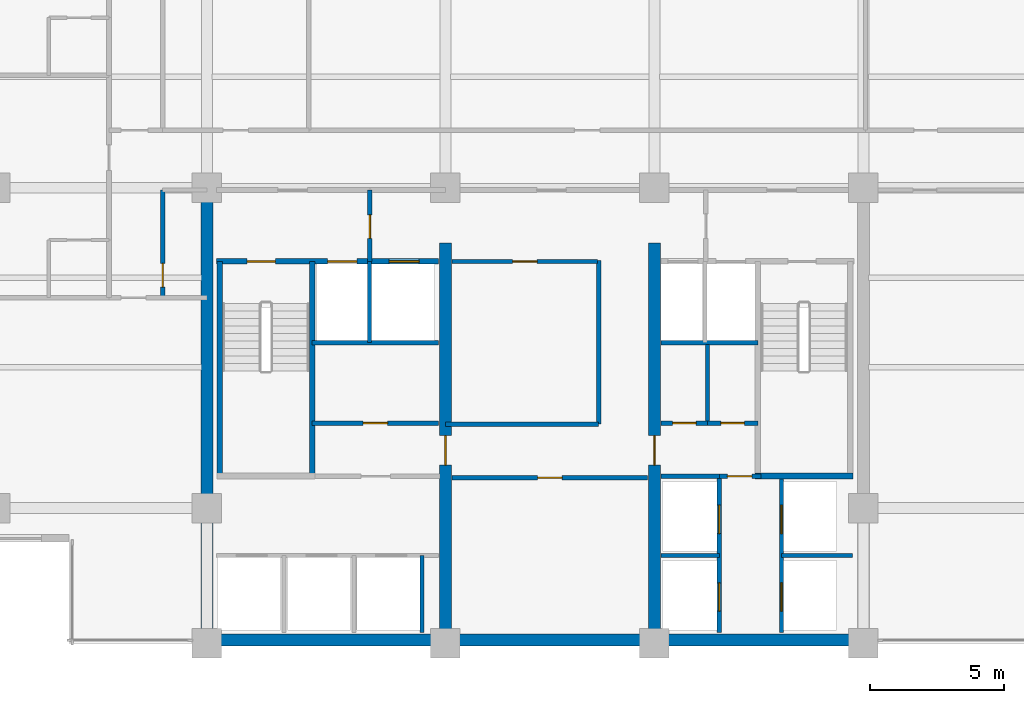
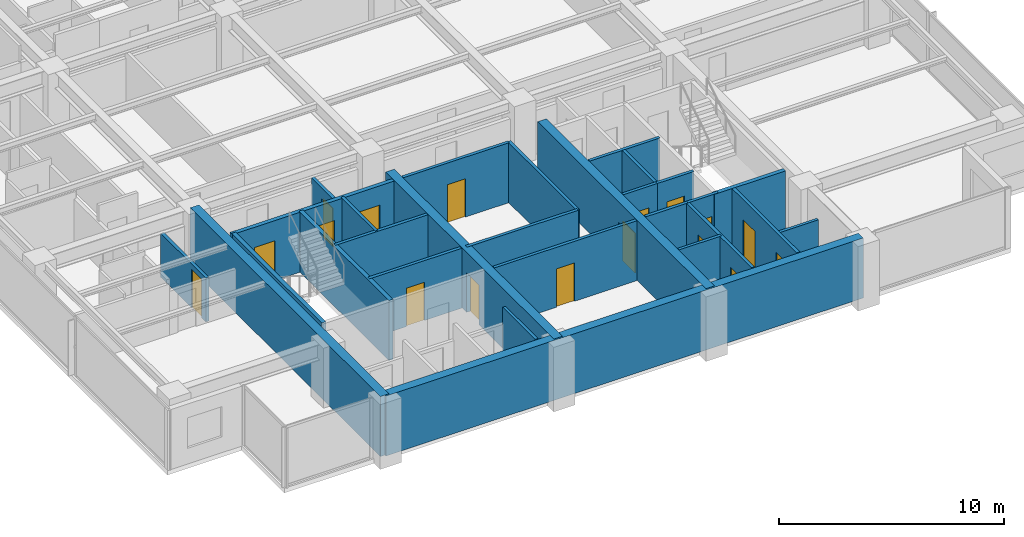
# One storey, part 7 of 15: 28 walls, 17 doors, 17 openings.
"""IFC4 building model written with IfcOpenShell, lengths in metres."""

import ifcopenshell
import ifcopenshell.guid

model = None  # the IFC model being written
_history = None  # IfcOwnerHistory: only IFC2X3 demands one
_inside = {}  # id of a spatial element -> (the spatial element, [elements in it])
_under = {}  # id of a project, library or spatial element -> (it, [spatial elements below it])
_declared = {}  # id of a project -> (the project, [libraries it declares])
_typed = {}  # id of a type object -> (the type object, [elements of that type])
_made_of = {}  # id of a material, layer set ... -> (it, [elements and type objects made of it])


def new_model(schema):
    """Start an empty IFC model of exactly this schema.

    Asked for "IFC4X3", IfcOpenShell would pick the latest addendum, in which some entities
    have other attributes; the version numbers below select the first issue.
    IFC2X3 requires an IfcOwnerHistory on every rooted entity: one is made here for all.
    """
    global model, _history
    if schema == "IFC4X3":
        model = ifcopenshell.file(schema_version=(4, 3, 0, 0))
    else:
        model = ifcopenshell.file(schema=schema)
    _inside.clear()
    _under.clear()
    _declared.clear()
    _typed.clear()
    _made_of.clear()
    _history = None
    if model.schema == "IFC2X3":
        org = make("IfcOrganization", Name="unknown")
        user = make(
            "IfcPersonAndOrganization",
            ThePerson=make("IfcPerson", FamilyName="unknown"),
            TheOrganization=org,
        )
        app = make(
            "IfcApplication",
            ApplicationDeveloper=org,
            Version="unknown",
            ApplicationFullName="unknown",
            ApplicationIdentifier="unknown",
        )
        _history = make(
            "IfcOwnerHistory",
            OwningUser=user,
            OwningApplication=app,
            ChangeAction="ADDED",
            CreationDate=0,
        )
    return model


def make(cls, **values):
    """One entity of the class cls with the attributes given. An attribute that is None is left unset."""
    return model.create_entity(
        cls, **{name: value for name, value in values.items() if value is not None}
    )


def rooted(cls, **values):
    """An entity with a GlobalId (a new one), such as an element, a storey or a relation."""
    return make(cls, GlobalId=ifcopenshell.guid.new(), OwnerHistory=_history, **values)


def si_unit(unit_type, name, prefix=None):
    """IfcSIUnit, for example si_unit("LENGTHUNIT", "METRE", prefix="MILLI")."""
    return make("IfcSIUnit", UnitType=unit_type, Prefix=prefix, Name=name)


def assignment(units):
    """IfcUnitAssignment: the units of a project."""
    return None if units is None else make("IfcUnitAssignment", Units=units)


def point(xyz):
    """IfcCartesianPoint."""
    return None if xyz is None else make("IfcCartesianPoint", Coordinates=xyz)


def direction(xyz):
    """IfcDirection."""
    return None if xyz is None else make("IfcDirection", DirectionRatios=xyz)


def frame(location, z_axis=None, x_axis=None):
    """IfcAxis2Placement3D, a coordinate frame: its origin and axes. An axis left out is left unset."""
    return make(
        "IfcAxis2Placement3D",
        Location=point(location),
        Axis=direction(z_axis),
        RefDirection=direction(x_axis),
    )


def frame_2d(location, x_axis=None):
    """IfcAxis2Placement2D, a coordinate frame in the plane: its origin and x axis."""
    return make(
        "IfcAxis2Placement2D", Location=point(location), RefDirection=direction(x_axis)
    )


def origin():
    """The frame at (0, 0, 0) with its axes left unset."""
    return frame((0.0, 0.0, 0.0))


def place(relative_to, where):
    """IfcLocalPlacement: puts the frame where relative to a parent placement (None: the world)."""
    return make(
        "IfcLocalPlacement", PlacementRelTo=relative_to, RelativePlacement=where
    )


def context(
    kind, dimensions, precision=None, world=None, true_north=None, identifier=None
):
    """IfcGeometricRepresentationContext, for example the 3D "Model" context."""
    return make(
        "IfcGeometricRepresentationContext",
        ContextIdentifier=identifier,
        ContextType=kind,
        CoordinateSpaceDimension=dimensions,
        Precision=precision,
        WorldCoordinateSystem=world,
        TrueNorth=true_north,
    )


def subcontext(parent, identifier, kind, view, scale=None):
    """IfcGeometricRepresentationSubContext, for example "Body" below "Model"."""
    return make(
        "IfcGeometricRepresentationSubContext",
        ContextIdentifier=identifier,
        ContextType=kind,
        ParentContext=parent,
        TargetScale=scale,
        TargetView=view,
    )


def project(units=None, contexts=None):
    """IfcProject with its units and contexts."""
    return rooted(
        "IfcProject",
        Name="project",
        RepresentationContexts=contexts,
        UnitsInContext=assignment(units),
    )


def spatial(cls, under=None, at=None, **own):
    """A site, building, storey or space (cls), placed at a placement, below another one or the project."""
    s = rooted(cls, ObjectPlacement=at, **own)
    if under is not None:
        _under.setdefault(under.id(), (under, []))[1].append(s)
    return s


def profile(cls, at=None, kind="AREA", **sizes):
    """A parametric profile (cls). Its sizes go by their IFC names, for example OverallWidth=200.0."""
    return make(cls, ProfileType=kind, Position=at, **sizes)


def rectangle(**sizes):
    """IfcRectangleProfileDef."""
    return profile("IfcRectangleProfileDef", **sizes)


def extrude(swept, where, along, depth):
    """IfcExtrudedAreaSolid: the profile swept, set in the frame where, extruded along a direction by depth."""
    return make(
        "IfcExtrudedAreaSolid",
        SweptArea=swept,
        Position=where,
        ExtrudedDirection=direction(along),
        Depth=depth,
    )


def shape(context_of_items, identifier, shape_type, items):
    """IfcShapeRepresentation: the items that make up one representation, for example the "Body"."""
    return make(
        "IfcShapeRepresentation",
        ContextOfItems=context_of_items,
        RepresentationIdentifier=identifier,
        RepresentationType=shape_type,
        Items=items,
    )


def material(Name=None, Category=None):
    """IfcMaterial."""
    return make("IfcMaterial", Name=Name, Category=Category)


def layer(
    of_material, thickness, ventilated=None, Name=None, Category=None, Priority=None
):
    """IfcMaterialLayer: one layer of a wall or slab, of a material (None: an air gap)."""
    return make(
        "IfcMaterialLayer",
        Material=of_material,
        LayerThickness=thickness,
        IsVentilated=ventilated,
        Name=Name,
        Category=Category,
        Priority=Priority,
    )


def layer_set(layers, Name=None):
    """IfcMaterialLayerSet."""
    return make("IfcMaterialLayerSet", MaterialLayers=layers, LayerSetName=Name)


def made_of(thing, what):
    """Note that an element or type object is made of a material, layer set ...; save() writes the relation."""
    if what is not None:
        _made_of.setdefault(what.id(), (what, []))[1].append(thing)
    return thing


def type_object(cls, material=None, **own):
    """A type object (cls), such as IfcWallType, which elements share."""
    return made_of(rooted(cls, **own), material)


def element(
    cls,
    number,
    at=None,
    inside=None,
    cuts=None,
    type_object=None,
    material=None,
    context=None,
    identifier="Body",
    shape_type=None,
    held_by="IfcProductDefinitionShape",
    body=None,
    shapes=None,
    **own,
):
    """One element of the class cls, such as IfcWall. Its Tag is "e" and its number.

    at: its placement. inside: the storey or other place that contains it. cuts: it is an
    opening in that element (IfcRelVoidsElement). A single representation is given by context,
    identifier, shape_type and body (its items); several are given by shapes. held_by: the class
    of the entity that holds the representations. save() writes the other relations.
    """
    e = rooted(cls, Tag="e%d" % number, ObjectPlacement=at, **own)
    if body is not None:
        shapes = [shape(context, identifier, shape_type, body)]
    if shapes is not None:
        e.Representation = make(held_by, Representations=shapes)
    if inside is not None:
        _inside.setdefault(inside.id(), (inside, []))[1].append(e)
    if cuts is not None:
        rooted(
            "IfcRelVoidsElement", RelatingBuildingElement=cuts, RelatedOpeningElement=e
        )
    if type_object is not None:
        _typed.setdefault(type_object.id(), (type_object, []))[1].append(e)
    return made_of(e, material)


def fill(opening, filler):
    """IfcRelFillsElement: the door or window that sits in an opening."""
    return rooted(
        "IfcRelFillsElement",
        RelatingOpeningElement=opening,
        RelatedBuildingElement=filler,
    )


def aggregate(whole, parts):
    """IfcRelAggregates: a whole, such as a stair, and the parts it consists of."""
    return rooted("IfcRelAggregates", RelatingObject=whole, RelatedObjects=parts)


def save(model, path):
    """Write the relations noted so far, then the file.

    IfcRelAggregates (storeys below a building ...), IfcRelContainedInSpatialStructure (elements
    in a storey), IfcRelDefinesByType, IfcRelAssociatesMaterial and IfcRelDeclares: one each for
    every whole, place, type object, material and project.
    """
    for whole, parts in _under.values():
        aggregate(whole, parts)
    for where, things in _inside.values():
        rooted(
            "IfcRelContainedInSpatialStructure",
            RelatedElements=things,
            RelatingStructure=where,
        )
    for kind, things in _typed.values():
        rooted("IfcRelDefinesByType", RelatedObjects=things, RelatingType=kind)
    for what, things in _made_of.values():
        rooted("IfcRelAssociatesMaterial", RelatedObjects=things, RelatingMaterial=what)
    for by, libraries in _declared.values():
        rooted("IfcRelDeclares", RelatingContext=by, RelatedDefinitions=libraries)
    model.write(path)


model = new_model("IFC4")

# Units and contexts
model_context = context("Model", 3, precision=1e-05, world=origin(), true_north=direction((0.0, 1.0)))
body_context = subcontext(model_context, "Body", "Model", "MODEL_VIEW")
ifc_project = project(units=[si_unit("LENGTHUNIT", "METRE"), si_unit("AREAUNIT", "SQUARE_METRE"), si_unit("VOLUMEUNIT", "CUBIC_METRE"), si_unit("PLANEANGLEUNIT", "RADIAN"), si_unit("MASSUNIT", "GRAM", prefix="KILO")], contexts=[model_context])

# Site, building, storey
site_placement = place(None, origin())
site = spatial("IfcSite", under=ifc_project, at=site_placement, CompositionType="ELEMENT")
building_placement = place(site_placement, origin())
building = spatial("IfcBuilding", under=site, at=building_placement, Name="Qalmaran Belvedere Hotel", CompositionType="ELEMENT")
storey_placement = place(building_placement, frame((0.0, 0.0, 170.10009765625)))
storey = spatial("IfcBuildingStorey", under=building, at=storey_placement, Name="L43", CompositionType="ELEMENT", Elevation=170.10009765625)

# Wall
ifc_material_1 = material(Name="Concrete C50/60", Category="concrete")
ifc_layer_1 = layer(ifc_material_1, 0.449951171875, Name="Concrete C50/60")
ifc_layer_set_1 = layer_set([ifc_layer_1], Name="Concrete C50/60")
wall_type_1 = type_object("IfcWallType", Name="WL-CORE-450-C50", PredefinedType="SHEAR", material=ifc_layer_set_1)
wall_1_placement = place(storey_placement, frame((20.300048828125, 3.5, 0.0), z_axis=(0.0, 0.0, 1.0), x_axis=(0.0, 1.0, 0.0)))
element("IfcWall", 1, at=wall_1_placement, inside=storey, type_object=wall_type_1, Name="L43 West Core Shear Wall", PredefinedType="SHEAR", context=body_context, shape_type="SweptSolid", body=[
    extrude(rectangle(XDim=16.89990234375, YDim=0.449951171875, at=frame_2d((8.449951171875, 0.0))), origin(), (0.0, 0.0, 1.0), 3.25),
])

# Wall, opening, door
wall_2_placement = place(storey_placement, frame((29.199951171875, 3.5, 0.0), z_axis=(0.0, 0.0, 1.0), x_axis=(0.0, 1.0, 0.0)))
wall_2 = element("IfcWall", 2, at=wall_2_placement, inside=storey, type_object=wall_type_1, Name="L43 Core West Spine Shear Wall", PredefinedType="SHEAR", context=body_context, shape_type="SweptSolid", body=[
    extrude(rectangle(XDim=14.949951171875, YDim=0.449951171875, at=frame_2d((7.47509765625, 0.0))), origin(), (0.0, 0.0, 1.0), 3.25),
])
opening_1_placement = place(wall_2_placement, frame((7.75, 0.0, 0.0), z_axis=(0.0, 0.0, 1.0), x_axis=(-1.0, 0.0, 0.0)))
opening_1 = element("IfcOpeningElement", 3, at=opening_1_placement, cuts=wall_2, Name="Opening FD90", PredefinedType="OPENING", context=body_context, shape_type="SweptSolid", body=[
    extrude(rectangle(XDim=1.10009765625, YDim=2.14990234375, at=frame_2d((0.550048828125, 1.074951171875))), frame((0.0, 0.23486328125, 0.0), z_axis=(0.0, -1.0, 0.0), x_axis=(1.0, 0.0, 0.0)), (0.0, 0.0, 1.0), 0.469970703125),
])
ifc_material_2 = material(Name="Steel S355JR", Category="steel")
door_type_1 = type_object("IfcDoorType", Name="DR-FD90-1100X2150", OperationType="NOTDEFINED", PredefinedType="DOOR", material=ifc_material_2)
door_1_placement = place(opening_1_placement, origin())
door_1 = element("IfcDoor", 4, at=door_1_placement, inside=storey, type_object=door_type_1, Name="L43 Core West Cross-Lobby Door", OperationType="SINGLE_SWING_RIGHT", OverallHeight=2.14990234375, OverallWidth=1.10009765625, PredefinedType="DOOR", context=body_context, shape_type="SweptSolid", body=[
    extrude(rectangle(XDim=1.10009765625, YDim=2.14990234375, at=frame_2d((0.550048828125, 1.074951171875))), frame((0.0, 0.02490234375, 0.0), z_axis=(0.0, -1.0, 0.0), x_axis=(1.0, 0.0, 0.0)), (0.0, 0.0, 1.0), 0.050048828125),
])
fill(opening_1, door_1)

wall_3_placement = place(storey_placement, frame((37.0, 3.5, 0.0), z_axis=(0.0, 0.0, 1.0), x_axis=(0.0, 1.0, 0.0)))
wall_3 = element("IfcWall", 5, at=wall_3_placement, inside=storey, type_object=wall_type_1, Name="L43 Core East Spine Shear Wall", PredefinedType="SHEAR", context=body_context, shape_type="SweptSolid", body=[
    extrude(rectangle(XDim=14.949951171875, YDim=0.449951171875, at=frame_2d((7.47509765625, 0.0))), origin(), (0.0, 0.0, 1.0), 3.25),
])
opening_2_placement = place(wall_3_placement, frame((6.64990234375, 0.0, 0.0)))
opening_2 = element("IfcOpeningElement", 6, at=opening_2_placement, cuts=wall_3, Name="Opening FD90", PredefinedType="OPENING", context=body_context, shape_type="SweptSolid", body=[
    extrude(rectangle(XDim=1.10009765625, YDim=2.14990234375, at=frame_2d((0.550048828125, 1.074951171875))), frame((0.0, 0.23486328125, 0.0), z_axis=(0.0, -1.0, 0.0), x_axis=(1.0, 0.0, 0.0)), (0.0, 0.0, 1.0), 0.469970703125),
])
door_2_placement = place(opening_2_placement, origin())
door_2 = element("IfcDoor", 7, at=door_2_placement, inside=storey, type_object=door_type_1, Name="L43 Core East Cross-Lobby Door", OperationType="SINGLE_SWING_LEFT", OverallHeight=2.14990234375, OverallWidth=1.10009765625, PredefinedType="DOOR", context=body_context, shape_type="SweptSolid", body=[
    extrude(rectangle(XDim=1.10009765625, YDim=2.14990234375, at=frame_2d((0.550048828125, 1.074951171875))), frame((0.0, 0.02490234375, 0.0), z_axis=(0.0, -1.0, 0.0), x_axis=(1.0, 0.0, 0.0)), (0.0, 0.0, 1.0), 0.050048828125),
])
fill(opening_2, door_2)

# Walls
ifc_layer_2 = layer(ifc_material_1, 0.43994140625, Name="Concrete C50/60")
ifc_layer_set_2 = layer_set([ifc_layer_2], Name="Concrete C50/60")
wall_type_2 = type_object("IfcWallType", Name="WL-CORES-440-EXT", PredefinedType="SHEAR", material=ifc_layer_set_2)
wall_4_placement = place(storey_placement, frame((20.300048828125, 3.6298828125, 0.0), z_axis=(0.0, 0.0, 1.0), x_axis=(1.0, 0.0, 0.0)))
element("IfcWall", 8, at=wall_4_placement, inside=storey, type_object=wall_type_2, Name="L43 South Core Shear Wall", PredefinedType="SHEAR", context=body_context, shape_type="SweptSolid", body=[
    extrude(rectangle(XDim=24.5, YDim=0.43994140625, at=frame_2d((12.25, 0.0))), origin(), (0.0, 0.0, 1.0), 3.25),
])
ifc_material_3 = material(Name="Gypsum Stud Partition")
ifc_layer_3 = layer(ifc_material_3, 0.14990234375, Name="Gypsum Stud Partition")
ifc_layer_set_3 = layer_set([ifc_layer_3], Name="Gypsum Stud Partition")
wall_type_3 = type_object("IfcWallType", Name="WL-INT-150-EI120", PredefinedType="PARTITIONING", material=ifc_layer_set_3)
wall_5_placement = place(storey_placement, frame((26.360107421875, 14.719970703125, 0.0), z_axis=(0.0, 0.0, 1.0), x_axis=(0.0, 1.0, 0.0)))
element("IfcWall", 9, at=wall_5_placement, inside=storey, type_object=wall_type_3, Name="L43 Partition WL-FF1M-L43", PredefinedType="PARTITIONING", context=body_context, shape_type="SweptSolid", body=[
    extrude(rectangle(XDim=3.0400390625, YDim=0.14990234375, at=frame_2d((1.52001953125, 0.0))), origin(), (0.0, 0.0, 1.0), 3.25),
])
wall_6_placement = place(storey_placement, frame((28.320068359375, 3.89990234375, 0.0), z_axis=(0.0, 0.0, 1.0), x_axis=(0.0, 1.0, 0.0)))
element("IfcWall", 10, at=wall_6_placement, inside=storey, type_object=wall_type_3, Name="L43 Partition WL-POM3-L43", PredefinedType="PARTITIONING", context=body_context, shape_type="SweptSolid", body=[
    extrude(rectangle(XDim=2.880126953125, YDim=0.14990234375, at=frame_2d((1.43994140625, 0.0))), origin(), (0.0, 0.0, 1.0), 3.25),
])
wall_7_placement = place(storey_placement, frame((37.25, 6.780029296875, 0.0), z_axis=(0.0, 0.0, 1.0), x_axis=(1.0, 0.0, 0.0)))
element("IfcWall", 11, at=wall_7_placement, inside=storey, type_object=wall_type_3, Name="L43 Partition WL-PHMW-L43", PredefinedType="PARTITIONING", context=body_context, shape_type="SweptSolid", body=[
    extrude(rectangle(XDim=2.169921875, YDim=0.14990234375, at=frame_2d((1.0849609375, 0.0))), origin(), (0.0, 0.0, 1.0), 3.25),
])
wall_8_placement = place(storey_placement, frame((41.739990234375, 6.780029296875, 0.0), z_axis=(0.0, 0.0, 1.0), x_axis=(1.0, 0.0, 0.0)))
element("IfcWall", 12, at=wall_8_placement, inside=storey, type_object=wall_type_3, Name="L43 Partition WL-PHME-L43", PredefinedType="PARTITIONING", context=body_context, shape_type="SweptSolid", body=[
    extrude(rectangle(XDim=2.659912109375, YDim=0.14990234375, at=frame_2d((1.330078125, 0.0))), origin(), (0.0, 0.0, 1.0), 2.3798828125),
])
ifc_layer_4 = layer(ifc_material_3, 0.14990234375, Name="Gypsum Stud Partition")
ifc_layer_set_4 = layer_set([ifc_layer_4], Name="Gypsum Stud Partition")
wall_type_4 = type_object("IfcWallType", Name="WL-INT-150-EI60", PredefinedType="PARTITIONING", material=ifc_layer_set_4)
wall_9_placement = place(storey_placement, frame((38.98291015625, 11.719970703125, 0.0), z_axis=(0.0, 0.0, 1.0), x_axis=(0.0, 1.0, 0.0)))
element("IfcWall", 13, at=wall_9_placement, inside=storey, type_object=wall_type_4, Name="L43 Partition WL-L43-KEV1", PredefinedType="PARTITIONING", context=body_context, shape_type="SweptSolid", body=[
    extrude(rectangle(XDim=2.929931640625, YDim=0.14990234375, at=frame_2d((1.46484375, 0.0))), origin(), (0.0, 0.0, 1.0), 3.25),
])

# Wall, opening, door
ifc_layer_5 = layer(ifc_material_3, 0.159912109375, Name="Gypsum Stud Partition")
ifc_layer_set_5 = layer_set([ifc_layer_5], Name="Gypsum Stud Partition")
wall_type_5 = type_object("IfcWallType", Name="WL-INT-160-EI120", PredefinedType="PARTITIONING", material=ifc_layer_set_5)
wall_10_placement = place(storey_placement, frame((26.3798828125, 17.760009765625, 0.0), z_axis=(0.0, 0.0, 1.0), x_axis=(0.0, 1.0, 0.0)))
wall_10 = element("IfcWall", 14, at=wall_10_placement, inside=storey, type_object=wall_type_5, Name="L43 Partition WL-FFSV1-L43", PredefinedType="PARTITIONING", context=body_context, shape_type="SweptSolid", body=[
    extrude(rectangle(XDim=2.659912109375, YDim=0.159912109375, at=frame_2d((1.330078125, 0.0))), origin(), (0.0, 0.0, 1.0), 2.69189453125),
])
opening_3_placement = place(wall_10_placement, frame((0.85009765625, 0.0, 0.0)))
opening_3 = element("IfcOpeningElement", 15, at=opening_3_placement, cuts=wall_10, Name="Opening FD60B", PredefinedType="OPENING", context=body_context, shape_type="SweptSolid", body=[
    extrude(rectangle(XDim=0.8798828125, YDim=2.080078125, at=frame_2d((0.43994140625, 1.0400390625))), frame((0.0, 0.08984375, 0.0), z_axis=(0.0, -1.0, 0.0), x_axis=(1.0, 0.0, 0.0)), (0.0, 0.0, 1.0), 0.179931640625),
])
door_type_2 = type_object("IfcDoorType", Name="DR-FD60B-880X2080", OperationType="NOTDEFINED", PredefinedType="DOOR", material=ifc_material_2)
door_3_placement = place(opening_3_placement, origin())
door_3 = element("IfcDoor", 16, at=door_3_placement, inside=storey, type_object=door_type_2, Name="L43 Service Lobby West Door", OperationType="SINGLE_SWING_RIGHT", OverallHeight=2.080078125, OverallWidth=0.8798828125, PredefinedType="DOOR", context=body_context, shape_type="SweptSolid", body=[
    extrude(rectangle(XDim=0.8798828125, YDim=2.080078125, at=frame_2d((0.43994140625, 1.0400390625))), frame((0.0, 0.02490234375, 0.0), z_axis=(0.0, -1.0, 0.0), x_axis=(1.0, 0.0, 0.0)), (0.0, 0.0, 1.0), 0.050048828125),
])
fill(opening_3, door_3)

# Walls
wall_11_placement = place(storey_placement, frame((24.219970703125, 14.719970703125, 0.0), z_axis=(0.0, 0.0, 1.0), x_axis=(1.0, 0.0, 0.0)))
element("IfcWall", 17, at=wall_11_placement, inside=storey, type_object=wall_type_5, Name="L43 Partition WL-FF1S-L43", PredefinedType="PARTITIONING", context=body_context, shape_type="SweptSolid", body=[
    extrude(rectangle(XDim=4.72998046875, YDim=0.159912109375, at=frame_2d((2.364990234375, 0.0))), origin(), (0.0, 0.0, 1.0), 3.25),
])
wall_12_placement = place(storey_placement, frame((37.25, 14.719970703125, 0.0), z_axis=(0.0, 0.0, 1.0), x_axis=(1.0, 0.0, 0.0)))
element("IfcWall", 18, at=wall_12_placement, inside=storey, type_object=wall_type_5, Name="L43 Partition WL-FF2S-L43", PredefinedType="PARTITIONING", context=body_context, shape_type="SweptSolid", body=[
    extrude(rectangle(XDim=3.610107421875, YDim=0.159912109375, at=frame_2d((1.80517578125, 0.0))), origin(), (0.0, 0.0, 1.0), 3.25),
])

# Wall, openings, doors
wall_13_placement = place(storey_placement, frame((39.419921875, 3.89990234375, 0.0), z_axis=(0.0, 0.0, 1.0), x_axis=(0.0, 1.0, 0.0)))
wall_13 = element("IfcWall", 19, at=wall_13_placement, inside=storey, type_object=wall_type_5, Name="L43 Partition WL-PHW-L43", PredefinedType="PARTITIONING", context=body_context, shape_type="SweptSolid", body=[
    extrude(rectangle(XDim=5.840087890625, YDim=0.159912109375, at=frame_2d((2.919921875, 0.0))), origin(), (0.0, 0.0, 1.0), 3.25),
])
opening_4_placement = place(wall_13_placement, frame((1.860107421875, 0.0, 0.0), z_axis=(0.0, 0.0, 1.0), x_axis=(-1.0, 0.0, 0.0)))
opening_4 = element("IfcOpeningElement", 20, at=opening_4_placement, cuts=wall_13, Name="Opening LD-P2", PredefinedType="OPENING", context=body_context, shape_type="SweptSolid", body=[
    extrude(rectangle(XDim=1.06005859375, YDim=2.159912109375, at=frame_2d((0.530029296875, 1.080078125))), frame((0.0, 0.08984375, 0.0), z_axis=(0.0, -1.0, 0.0), x_axis=(1.0, 0.0, 0.0)), (0.0, 0.0, 1.0), 0.179931640625),
])
opening_5_placement = place(wall_13_placement, frame((4.760009765625, 0.0, 0.0), z_axis=(0.0, 0.0, 1.0), x_axis=(-1.0, 0.0, 0.0)))
opening_5 = element("IfcOpeningElement", 21, at=opening_5_placement, cuts=wall_13, Name="Opening LD-P2", PredefinedType="OPENING", context=body_context, shape_type="SweptSolid", body=[
    extrude(rectangle(XDim=1.06005859375, YDim=2.159912109375, at=frame_2d((0.530029296875, 1.080078125))), frame((0.0, 0.08984375, 0.0), z_axis=(0.0, -1.0, 0.0), x_axis=(1.0, 0.0, 0.0)), (0.0, 0.0, 1.0), 0.179931640625),
])
ifc_material_4 = material(Name="Stainless Steel 1.4401", Category="steel")
door_type_3 = type_object("IfcDoorType", Name="DR-LIFT-P2-1060X2160", OperationType="DOUBLE_DOOR_SLIDING", PredefinedType="DOOR", material=ifc_material_4)
door_4_placement = place(opening_4_placement, origin())
door_4 = element("IfcDoor", 22, at=door_4_placement, inside=storey, type_object=door_type_3, Name="L43 PH1 Lift Landing Door", OperationType="DOUBLE_DOOR_SLIDING", OverallHeight=2.159912109375, OverallWidth=1.06005859375, PredefinedType="DOOR", context=body_context, shape_type="SweptSolid", body=[
    extrude(rectangle(XDim=1.06005859375, YDim=2.159912109375, at=frame_2d((0.530029296875, 1.080078125))), frame((0.0, 0.02490234375, 0.0), z_axis=(0.0, -1.0, 0.0), x_axis=(1.0, 0.0, 0.0)), (0.0, 0.0, 1.0), 0.050048828125),
])
fill(opening_4, door_4)
door_5_placement = place(opening_5_placement, origin())
door_5 = element("IfcDoor", 23, at=door_5_placement, inside=storey, type_object=door_type_3, Name="L43 PH2 Lift Landing Door", OperationType="DOUBLE_DOOR_SLIDING", OverallHeight=2.159912109375, OverallWidth=1.06005859375, PredefinedType="DOOR", context=body_context, shape_type="SweptSolid", body=[
    extrude(rectangle(XDim=1.06005859375, YDim=2.159912109375, at=frame_2d((0.530029296875, 1.080078125))), frame((0.0, 0.02490234375, 0.0), z_axis=(0.0, -1.0, 0.0), x_axis=(1.0, 0.0, 0.0)), (0.0, 0.0, 1.0), 0.050048828125),
])
fill(opening_5, door_5)

wall_14_placement = place(storey_placement, frame((41.739990234375, 3.89990234375, 0.0), z_axis=(0.0, 0.0, 1.0), x_axis=(0.0, 1.0, 0.0)))
wall_14 = element("IfcWall", 24, at=wall_14_placement, inside=storey, type_object=wall_type_5, Name="L43 Partition WL-PHE-L43", PredefinedType="PARTITIONING", context=body_context, shape_type="SweptSolid", body=[
    extrude(rectangle(XDim=5.840087890625, YDim=0.159912109375, at=frame_2d((2.919921875, 0.0))), origin(), (0.0, 0.0, 1.0), 3.25),
])
opening_6_placement = place(wall_14_placement, frame((0.800048828125, 0.0, 0.0)))
opening_6 = element("IfcOpeningElement", 25, at=opening_6_placement, cuts=wall_14, Name="Opening LD-P2", PredefinedType="OPENING", context=body_context, shape_type="SweptSolid", body=[
    extrude(rectangle(XDim=1.06005859375, YDim=2.159912109375, at=frame_2d((0.530029296875, 1.080078125))), frame((0.0, 0.08984375, 0.0), z_axis=(0.0, -1.0, 0.0), x_axis=(1.0, 0.0, 0.0)), (0.0, 0.0, 1.0), 0.179931640625),
])
opening_7_placement = place(wall_14_placement, frame((3.699951171875, 0.0, 0.0)))
opening_7 = element("IfcOpeningElement", 26, at=opening_7_placement, cuts=wall_14, Name="Opening LD-P2", PredefinedType="OPENING", context=body_context, shape_type="SweptSolid", body=[
    extrude(rectangle(XDim=1.06005859375, YDim=2.159912109375, at=frame_2d((0.530029296875, 1.080078125))), frame((0.0, 0.08984375, 0.0), z_axis=(0.0, -1.0, 0.0), x_axis=(1.0, 0.0, 0.0)), (0.0, 0.0, 1.0), 0.179931640625),
])
door_6_placement = place(opening_6_placement, origin())
door_6 = element("IfcDoor", 27, at=door_6_placement, inside=storey, type_object=door_type_3, Name="L43 PH3 Lift Landing Door", OperationType="DOUBLE_DOOR_SLIDING", OverallHeight=2.159912109375, OverallWidth=1.06005859375, PredefinedType="DOOR", context=body_context, shape_type="SweptSolid", body=[
    extrude(rectangle(XDim=1.06005859375, YDim=2.159912109375, at=frame_2d((0.530029296875, 1.080078125))), frame((0.0, 0.02490234375, 0.0), z_axis=(0.0, -1.0, 0.0), x_axis=(1.0, 0.0, 0.0)), (0.0, 0.0, 1.0), 0.050048828125),
])
fill(opening_6, door_6)
door_7_placement = place(opening_7_placement, origin())
door_7 = element("IfcDoor", 28, at=door_7_placement, inside=storey, type_object=door_type_3, Name="L43 PH4 Lift Landing Door", OperationType="DOUBLE_DOOR_SLIDING", OverallHeight=2.159912109375, OverallWidth=1.06005859375, PredefinedType="DOOR", context=body_context, shape_type="SweptSolid", body=[
    extrude(rectangle(XDim=1.06005859375, YDim=2.159912109375, at=frame_2d((0.530029296875, 1.080078125))), frame((0.0, 0.02490234375, 0.0), z_axis=(0.0, -1.0, 0.0), x_axis=(1.0, 0.0, 0.0)), (0.0, 0.0, 1.0), 0.050048828125),
])
fill(opening_7, door_7)

# Wall
wall_15_placement = place(storey_placement, frame((37.25, 9.739990234375, 0.0), z_axis=(0.0, 0.0, 1.0), x_axis=(1.0, 0.0, 0.0)))
element("IfcWall", 29, at=wall_15_placement, inside=storey, type_object=wall_type_5, Name="L43 Partition WL-PHNW-L43", PredefinedType="PARTITIONING", context=body_context, shape_type="SweptSolid", body=[
    extrude(rectangle(XDim=2.169921875, YDim=0.159912109375, at=frame_2d((1.0849609375, 0.0))), origin(), (0.0, 0.0, 1.0), 3.25),
])

# Wall, opening, door
wall_16_placement = place(storey_placement, frame((39.419921875, 9.739990234375, 0.0), z_axis=(0.0, 0.0, 1.0), x_axis=(1.0, 0.0, 0.0)))
wall_16 = element("IfcWall", 30, at=wall_16_placement, inside=storey, type_object=wall_type_5, Name="L43 Partition WL-PHNL-L43", PredefinedType="PARTITIONING", context=body_context, shape_type="SweptSolid", body=[
    extrude(rectangle(XDim=1.56005859375, YDim=0.159912109375, at=frame_2d((0.780029296875, 0.0))), origin(), (0.0, 0.0, 1.0), 3.25),
])
opening_8_placement = place(wall_16_placement, frame((0.300048828125, 0.0, 0.0)))
opening_8 = element("IfcOpeningElement", 31, at=opening_8_placement, cuts=wall_16, Name="Opening FD60S1", PredefinedType="OPENING", context=body_context, shape_type="SweptSolid", body=[
    extrude(rectangle(XDim=0.919921875, YDim=2.080078125, at=frame_2d((0.4599609375, 1.0400390625))), frame((0.0, 0.08984375, 0.0), z_axis=(0.0, -1.0, 0.0), x_axis=(1.0, 0.0, 0.0)), (0.0, 0.0, 1.0), 0.179931640625),
])
ifc_material_5 = material(Name="Engineered Oak Veneer")
door_type_4 = type_object("IfcDoorType", Name="DR-FD60S-920X2080", OperationType="NOTDEFINED", PredefinedType="DOOR", material=ifc_material_5)
door_8_placement = place(opening_8_placement, origin())
door_8 = element("IfcDoor", 32, at=door_8_placement, inside=storey, type_object=door_type_4, Name="L43 High-Rise Lift Lobby Passage Door", OperationType="SINGLE_SWING_LEFT", OverallHeight=2.080078125, OverallWidth=0.919921875, PredefinedType="DOOR", context=body_context, shape_type="SweptSolid", body=[
    extrude(rectangle(XDim=0.919921875, YDim=2.080078125, at=frame_2d((0.4599609375, 1.0400390625))), frame((0.0, 0.02490234375, 0.0), z_axis=(0.0, -1.0, 0.0), x_axis=(1.0, 0.0, 0.0)), (0.0, 0.0, 1.0), 0.050048828125),
])
fill(opening_8, door_8)

ifc_layer_6 = layer(ifc_material_3, 0.159912109375, Name="Gypsum Stud Partition")
ifc_layer_set_6 = layer_set([ifc_layer_6], Name="Gypsum Stud Partition")
wall_type_6 = type_object("IfcWallType", Name="WL-INT-160-EI60", PredefinedType="PARTITIONING", material=ifc_layer_set_6)
wall_17_placement = place(storey_placement, frame((24.219970703125, 11.719970703125, 0.0), z_axis=(0.0, 0.0, 1.0), x_axis=(1.0, 0.0, 0.0)))
wall_17 = element("IfcWall", 33, at=wall_17_placement, inside=storey, type_object=wall_type_6, Name="L43 Partition WL-L43-KWE1", PredefinedType="PARTITIONING", context=body_context, shape_type="SweptSolid", body=[
    extrude(rectangle(XDim=4.72998046875, YDim=0.159912109375, at=frame_2d((2.364990234375, 0.0))), origin(), (0.0, 0.0, 1.0), 3.25),
])
opening_9_placement = place(wall_17_placement, frame((1.905029296875, 0.0, 0.0)))
opening_9 = element("IfcOpeningElement", 34, at=opening_9_placement, cuts=wall_17, Name="Opening FD60S1", PredefinedType="OPENING", context=body_context, shape_type="SweptSolid", body=[
    extrude(rectangle(XDim=0.919921875, YDim=2.080078125, at=frame_2d((0.4599609375, 1.0400390625))), frame((0.0, 0.08984375, 0.0), z_axis=(0.0, -1.0, 0.0), x_axis=(1.0, 0.0, 0.0)), (0.0, 0.0, 1.0), 0.179931640625),
])
door_9_placement = place(opening_9_placement, origin())
door_9 = element("IfcDoor", 35, at=door_9_placement, inside=storey, type_object=door_type_4, Name="L43 Electrical Distribution Room Door", OperationType="SINGLE_SWING_LEFT", OverallHeight=2.080078125, OverallWidth=0.919921875, PredefinedType="DOOR", context=body_context, shape_type="SweptSolid", body=[
    extrude(rectangle(XDim=0.919921875, YDim=2.080078125, at=frame_2d((0.4599609375, 1.0400390625))), frame((0.0, 0.02490234375, 0.0), z_axis=(0.0, -1.0, 0.0), x_axis=(1.0, 0.0, 0.0)), (0.0, 0.0, 1.0), 0.050048828125),
])
fill(opening_9, door_9)

wall_18_placement = place(storey_placement, frame((37.25, 11.719970703125, 0.0), z_axis=(0.0, 0.0, 1.0), x_axis=(1.0, 0.0, 0.0)))
wall_18 = element("IfcWall", 36, at=wall_18_placement, inside=storey, type_object=wall_type_6, Name="L43 Partition WL-L43-KEE1", PredefinedType="PARTITIONING", context=body_context, shape_type="SweptSolid", body=[
    extrude(rectangle(XDim=1.73291015625, YDim=0.159912109375, at=frame_2d((0.866455078125, 0.0))), origin(), (0.0, 0.0, 1.0), 3.25),
])
opening_10_placement = place(wall_18_placement, frame((0.426513671875, 0.0, 0.0)))
opening_10 = element("IfcOpeningElement", 37, at=opening_10_placement, cuts=wall_18, Name="Opening FD60B", PredefinedType="OPENING", context=body_context, shape_type="SweptSolid", body=[
    extrude(rectangle(XDim=0.8798828125, YDim=2.080078125, at=frame_2d((0.43994140625, 1.0400390625))), frame((0.0, 0.08984375, 0.0), z_axis=(0.0, -1.0, 0.0), x_axis=(1.0, 0.0, 0.0)), (0.0, 0.0, 1.0), 0.179931640625),
])
door_10_placement = place(opening_10_placement, origin())
door_10 = element("IfcDoor", 38, at=door_10_placement, inside=storey, type_object=door_type_2, Name="L43 Cleaner Equipment Store Door", OperationType="SINGLE_SWING_RIGHT", OverallHeight=2.080078125, OverallWidth=0.8798828125, PredefinedType="DOOR", context=body_context, shape_type="SweptSolid", body=[
    extrude(rectangle(XDim=0.8798828125, YDim=2.080078125, at=frame_2d((0.43994140625, 1.0400390625))), frame((0.0, 0.02490234375, 0.0), z_axis=(0.0, -1.0, 0.0), x_axis=(1.0, 0.0, 0.0)), (0.0, 0.0, 1.0), 0.050048828125),
])
fill(opening_10, door_10)

wall_19_placement = place(storey_placement, frame((38.98291015625, 11.719970703125, 0.0), z_axis=(0.0, 0.0, 1.0), x_axis=(1.0, 0.0, 0.0)))
wall_19 = element("IfcWall", 39, at=wall_19_placement, inside=storey, type_object=wall_type_6, Name="L43 Partition WL-L43-KEE2", PredefinedType="PARTITIONING", context=body_context, shape_type="SweptSolid", body=[
    extrude(rectangle(XDim=1.877197265625, YDim=0.159912109375, at=frame_2d((0.9384765625, 0.0))), origin(), (0.0, 0.0, 1.0), 3.25),
])
opening_11_placement = place(wall_19_placement, frame((0.49853515625, 0.0, 0.0)))
opening_11 = element("IfcOpeningElement", 40, at=opening_11_placement, cuts=wall_19, Name="Opening FD60B", PredefinedType="OPENING", context=body_context, shape_type="SweptSolid", body=[
    extrude(rectangle(XDim=0.8798828125, YDim=2.080078125, at=frame_2d((0.43994140625, 1.0400390625))), frame((0.0, 0.08984375, 0.0), z_axis=(0.0, -1.0, 0.0), x_axis=(1.0, 0.0, 0.0)), (0.0, 0.0, 1.0), 0.179931640625),
])
door_11_placement = place(opening_11_placement, origin())
door_11 = element("IfcDoor", 41, at=door_11_placement, inside=storey, type_object=door_type_2, Name="L43 Low Voltage Switch Room Door", OperationType="SINGLE_SWING_LEFT", OverallHeight=2.080078125, OverallWidth=0.8798828125, PredefinedType="DOOR", context=body_context, shape_type="SweptSolid", body=[
    extrude(rectangle(XDim=0.8798828125, YDim=2.080078125, at=frame_2d((0.43994140625, 1.0400390625))), frame((0.0, 0.02490234375, 0.0), z_axis=(0.0, -1.0, 0.0), x_axis=(1.0, 0.0, 0.0)), (0.0, 0.0, 1.0), 0.050048828125),
])
fill(opening_11, door_11)

# Wall
wall_20_placement = place(storey_placement, frame((34.919921875, 11.679931640625, 0.0), z_axis=(0.0, 0.0, 1.0), x_axis=(0.0, 1.0, 0.0)))
element("IfcWall", 42, at=wall_20_placement, inside=storey, type_object=wall_type_6, Name="L43 Partition WL-CLLV-L43", PredefinedType="PARTITIONING", context=body_context, shape_type="SweptSolid", body=[
    extrude(rectangle(XDim=6.10009765625, YDim=0.159912109375, at=frame_2d((3.050048828125, 0.0))), origin(), (0.0, 0.0, 1.0), 3.25),
])

# Wall, opening, door
wall_21_placement = place(storey_placement, frame((29.449951171875, 9.679931640625, 0.0), z_axis=(0.0, 0.0, 1.0), x_axis=(1.0, 0.0, 0.0)))
wall_21 = element("IfcWall", 43, at=wall_21_placement, inside=storey, type_object=wall_type_6, Name="L43 Partition WL-L43-KPLE1", PredefinedType="PARTITIONING", context=body_context, shape_type="SweptSolid", body=[
    extrude(rectangle(XDim=7.300048828125, YDim=0.159912109375, at=frame_2d((3.64990234375, 0.0))), origin(), (0.0, 0.0, 1.0), 3.25),
])
opening_12_placement = place(wall_21_placement, frame((4.10986328125, 0.0, 0.0), z_axis=(0.0, 0.0, 1.0), x_axis=(-1.0, 0.0, 0.0)))
opening_12 = element("IfcOpeningElement", 44, at=opening_12_placement, cuts=wall_21, Name="Opening FD60S1", PredefinedType="OPENING", context=body_context, shape_type="SweptSolid", body=[
    extrude(rectangle(XDim=0.919921875, YDim=2.080078125, at=frame_2d((0.4599609375, 1.0400390625))), frame((0.0, 0.08984375, 0.0), z_axis=(0.0, -1.0, 0.0), x_axis=(1.0, 0.0, 0.0)), (0.0, 0.0, 1.0), 0.179931640625),
])
door_12_placement = place(opening_12_placement, origin())
door_12 = element("IfcDoor", 45, at=door_12_placement, inside=storey, type_object=door_type_4, Name="L43 Housekeeping and Linen Room Door", OperationType="SINGLE_SWING_RIGHT", OverallHeight=2.080078125, OverallWidth=0.919921875, PredefinedType="DOOR", context=body_context, shape_type="SweptSolid", body=[
    extrude(rectangle(XDim=0.919921875, YDim=2.080078125, at=frame_2d((0.4599609375, 1.0400390625))), frame((0.0, 0.02490234375, 0.0), z_axis=(0.0, -1.0, 0.0), x_axis=(1.0, 0.0, 0.0)), (0.0, 0.0, 1.0), 0.050048828125),
])
fill(opening_12, door_12)

# Wall
wall_22_placement = place(storey_placement, frame((29.199951171875, 11.679931640625, 0.0), z_axis=(0.0, 0.0, 1.0), x_axis=(1.0, 0.0, 0.0)))
element("IfcWall", 46, at=wall_22_placement, inside=storey, type_object=wall_type_6, Name="L43 Partition WL-PMFS-L43", PredefinedType="PARTITIONING", context=body_context, shape_type="SweptSolid", body=[
    extrude(rectangle(XDim=5.719970703125, YDim=0.159912109375, at=frame_2d((2.85986328125, 0.0))), origin(), (0.0, 0.0, 1.0), 3.25),
])

# Wall, opening, door
wall_23_placement = place(storey_placement, frame((29.449951171875, 17.75, 0.0), z_axis=(0.0, 0.0, 1.0), x_axis=(1.0, 0.0, 0.0)))
wall_23 = element("IfcWall", 47, at=wall_23_placement, inside=storey, type_object=wall_type_6, Name="L43 Partition WL-L43-KPME1", PredefinedType="PARTITIONING", context=body_context, shape_type="SweptSolid", body=[
    extrude(rectangle(XDim=5.429931640625, YDim=0.159912109375, at=frame_2d((2.71484375, 0.0))), origin(), (0.0, 0.0, 1.0), 3.25),
])
opening_13_placement = place(wall_23_placement, frame((3.1748046875, 0.0, 0.0), z_axis=(0.0, 0.0, 1.0), x_axis=(-1.0, 0.0, 0.0)))
opening_13 = element("IfcOpeningElement", 48, at=opening_13_placement, cuts=wall_23, Name="Opening FD60S1", PredefinedType="OPENING", context=body_context, shape_type="SweptSolid", body=[
    extrude(rectangle(XDim=0.919921875, YDim=2.080078125, at=frame_2d((0.4599609375, 1.0400390625))), frame((0.0, 0.08984375, 0.0), z_axis=(0.0, -1.0, 0.0), x_axis=(1.0, 0.0, 0.0)), (0.0, 0.0, 1.0), 0.179931640625),
])
door_13_placement = place(opening_13_placement, origin())
door_13 = element("IfcDoor", 49, at=door_13_placement, inside=storey, type_object=door_type_4, Name="L43 Executive Butler Pantry Door", OperationType="SINGLE_SWING_LEFT", OverallHeight=2.080078125, OverallWidth=0.919921875, PredefinedType="DOOR", context=body_context, shape_type="SweptSolid", body=[
    extrude(rectangle(XDim=0.919921875, YDim=2.080078125, at=frame_2d((0.4599609375, 1.0400390625))), frame((0.0, 0.02490234375, 0.0), z_axis=(0.0, -1.0, 0.0), x_axis=(1.0, 0.0, 0.0)), (0.0, 0.0, 1.0), 0.050048828125),
])
fill(opening_13, door_13)

wall_24_placement = place(storey_placement, frame((18.64990234375, 16.39990234375, 0.0), z_axis=(0.0, 0.0, 1.0), x_axis=(0.0, 1.0, 0.0)))
wall_24 = element("IfcWall", 50, at=wall_24_placement, inside=storey, type_object=wall_type_6, Name="L43 Partition WL-L43-WCL", PredefinedType="PARTITIONING", context=body_context, shape_type="SweptSolid", body=[
    extrude(rectangle(XDim=4.02001953125, YDim=0.159912109375, at=frame_2d((2.010009765625, 0.0))), origin(), (0.0, 0.0, 1.0), 2.3798828125),
])
opening_14_placement = place(wall_24_placement, frame((1.27978515625, 0.0, 0.0), z_axis=(0.0, 0.0, 1.0), x_axis=(-1.0, 0.0, 0.0)))
opening_14 = element("IfcOpeningElement", 51, at=opening_14_placement, cuts=wall_24, Name="Opening FD60B", PredefinedType="OPENING", context=body_context, shape_type="SweptSolid", body=[
    extrude(rectangle(XDim=0.8798828125, YDim=2.080078125, at=frame_2d((0.43994140625, 1.0400390625))), frame((0.0, 0.08984375, 0.0), z_axis=(0.0, -1.0, 0.0), x_axis=(1.0, 0.0, 0.0)), (0.0, 0.0, 1.0), 0.179931640625),
])
door_14_placement = place(opening_14_placement, origin())
door_14 = element("IfcDoor", 52, at=door_14_placement, inside=storey, type_object=door_type_2, Name="L43 West Closet Door", OperationType="SINGLE_SWING_LEFT", OverallHeight=2.080078125, OverallWidth=0.8798828125, PredefinedType="DOOR", context=body_context, shape_type="SweptSolid", body=[
    extrude(rectangle(XDim=0.8798828125, YDim=2.080078125, at=frame_2d((0.43994140625, 1.0400390625))), frame((0.0, 0.02490234375, 0.0), z_axis=(0.0, -1.0, 0.0), x_axis=(1.0, 0.0, 0.0)), (0.0, 0.0, 1.0), 0.050048828125),
])
fill(opening_14, door_14)

# Walls
ifc_layer_7 = layer(ifc_material_1, 0.2099609375, Name="Concrete C50/60")
ifc_layer_set_7 = layer_set([ifc_layer_7], Name="Concrete C50/60")
wall_type_7 = type_object("IfcWallType", Name="WL-STAIR-210-C50", PredefinedType="SHEAR", material=ifc_layer_set_7)
for number, where, z_axis, x_axis, name in (
    (53, (20.77490234375, 9.7451171875, 0.0), (0.0, 0.0, 1.0), (0.0, 1.0, 0.0), "L43 Stair ST-1 West Bearing Wall"),
    (54, (24.22509765625, 9.7451171875, 0.0), (0.0, 0.0, 1.0), (0.0, 1.0, 0.0), "L43 Stair ST-1 East Bearing Wall"),
):
    element("IfcWall", number, at=place(storey_placement, frame(where, z_axis=z_axis, x_axis=x_axis)), inside=storey, type_object=wall_type_7, Name=name, PredefinedType="SHEAR", context=body_context, shape_type="SweptSolid", body=[
        extrude(rectangle(XDim=8.009765625, YDim=0.2099609375, at=frame_2d((4.0048828125, 0.0))), origin(), (0.0, 0.0, 1.0), 3.25),
    ])

# Wall, openings, doors
wall_25_placement = place(storey_placement, frame((20.64990234375, 17.7548828125, 0.0), z_axis=(0.0, 0.0, 1.0), x_axis=(1.0, 0.0, 0.0)))
wall_25 = element("IfcWall", 55, at=wall_25_placement, inside=storey, type_object=wall_type_7, Name="L43 West Lobby and Stair ST-1 North Bearing Wall", PredefinedType="SHEAR", context=body_context, shape_type="SweptSolid", body=[
    extrude(rectangle(XDim=8.300048828125, YDim=0.2099609375, at=frame_2d((4.14990234375, 0.0))), origin(), (0.0, 0.0, 1.0), 3.25),
])
opening_15_placement = place(wall_25_placement, frame((2.199951171875, 0.0, 0.0), z_axis=(0.0, 0.0, 1.0), x_axis=(-1.0, 0.0, 0.0)))
opening_15 = element("IfcOpeningElement", 56, at=opening_15_placement, cuts=wall_25, Name="Opening FD90S2", PredefinedType="OPENING", context=body_context, shape_type="SweptSolid", body=[
    extrude(rectangle(XDim=1.050048828125, YDim=2.14990234375, at=frame_2d((0.52490234375, 1.074951171875))), frame((0.0, 0.114990234375, 0.0), z_axis=(0.0, -1.0, 0.0), x_axis=(1.0, 0.0, 0.0)), (0.0, 0.0, 1.0), 0.22998046875),
])
opening_16_placement = place(wall_25_placement, frame((4.14990234375, 0.0, 0.0)))
opening_16 = element("IfcOpeningElement", 57, at=opening_16_placement, cuts=wall_25, Name="Opening LD-FF", PredefinedType="OPENING", context=body_context, shape_type="SweptSolid", body=[
    extrude(rectangle(XDim=1.10009765625, YDim=2.179931640625, at=frame_2d((0.550048828125, 1.08984375))), frame((0.0, 0.114990234375, 0.0), z_axis=(0.0, -1.0, 0.0), x_axis=(1.0, 0.0, 0.0)), (0.0, 0.0, 1.0), 0.22998046875),
])
opening_17_placement = place(wall_25_placement, frame((6.449951171875, 0.0, 0.0)))
opening_17 = element("IfcOpeningElement", 58, at=opening_17_placement, cuts=wall_25, Name="Opening LD-SV", PredefinedType="OPENING", context=body_context, shape_type="SweptSolid", body=[
    extrude(rectangle(XDim=1.1201171875, YDim=2.199951171875, at=frame_2d((0.56005859375, 1.10009765625))), frame((0.0, 0.114990234375, 0.0), z_axis=(0.0, -1.0, 0.0), x_axis=(1.0, 0.0, 0.0)), (0.0, 0.0, 1.0), 0.22998046875),
])
door_type_5 = type_object("IfcDoorType", Name="DR-FD90S-1050X2150", OperationType="NOTDEFINED", PredefinedType="DOOR", material=ifc_material_2)
door_15_placement = place(opening_15_placement, origin())
door_15 = element("IfcDoor", 59, at=door_15_placement, inside=storey, type_object=door_type_5, Name="L43 Stair ST-1 Door", OperationType="SINGLE_SWING_RIGHT", OverallHeight=2.14990234375, OverallWidth=1.050048828125, PredefinedType="DOOR", context=body_context, shape_type="SweptSolid", body=[
    extrude(rectangle(XDim=1.050048828125, YDim=2.14990234375, at=frame_2d((0.52490234375, 1.074951171875))), frame((0.0, 0.02490234375, 0.0), z_axis=(0.0, -1.0, 0.0), x_axis=(1.0, 0.0, 0.0)), (0.0, 0.0, 1.0), 0.050048828125),
])
fill(opening_15, door_15)
door_type_6 = type_object("IfcDoorType", Name="DR-LIFT-FF-1100X2180", OperationType="DOUBLE_DOOR_SLIDING", PredefinedType="DOOR", material=ifc_material_4)
door_16_placement = place(opening_16_placement, origin())
door_16 = element("IfcDoor", 60, at=door_16_placement, inside=storey, type_object=door_type_6, Name="L43 FF1 Lift Landing Door", OperationType="DOUBLE_DOOR_SLIDING", OverallHeight=2.179931640625, OverallWidth=1.10009765625, PredefinedType="DOOR", context=body_context, shape_type="SweptSolid", body=[
    extrude(rectangle(XDim=1.10009765625, YDim=2.179931640625, at=frame_2d((0.550048828125, 1.08984375))), frame((0.0, 0.02490234375, 0.0), z_axis=(0.0, -1.0, 0.0), x_axis=(1.0, 0.0, 0.0)), (0.0, 0.0, 1.0), 0.050048828125),
])
fill(opening_16, door_16)
door_type_7 = type_object("IfcDoorType", Name="DR-LIFT-SV-1120X2200", OperationType="DOUBLE_DOOR_SLIDING", PredefinedType="DOOR", material=ifc_material_4)
door_17_placement = place(opening_17_placement, origin())
door_17 = element("IfcDoor", 61, at=door_17_placement, inside=storey, type_object=door_type_7, Name="L43 SV1 Lift Landing Door", OperationType="DOUBLE_DOOR_SLIDING", OverallHeight=2.199951171875, OverallWidth=1.1201171875, PredefinedType="DOOR", context=body_context, shape_type="SweptSolid", body=[
    extrude(rectangle(XDim=1.1201171875, YDim=2.199951171875, at=frame_2d((0.56005859375, 1.10009765625))), frame((0.0, 0.02490234375, 0.0), z_axis=(0.0, -1.0, 0.0), x_axis=(1.0, 0.0, 0.0)), (0.0, 0.0, 1.0), 0.050048828125),
])
fill(opening_17, door_17)

# Wall
wall_26_placement = place(storey_placement, frame((40.75, 9.7451171875, 0.0), z_axis=(0.0, 0.0, 1.0), x_axis=(1.0, 0.0, 0.0)))
element("IfcWall", 62, at=wall_26_placement, inside=storey, type_object=wall_type_7, Name="L43 Stair ST-2 South Bearing Wall", PredefinedType="SHEAR", context=body_context, shape_type="SweptSolid", body=[
    extrude(rectangle(XDim=3.659912109375, YDim=0.2099609375, at=frame_2d((1.830078125, 0.0))), origin(), (0.0, 0.0, 1.0), 3.25),
])

save(model, "model.ifc")
